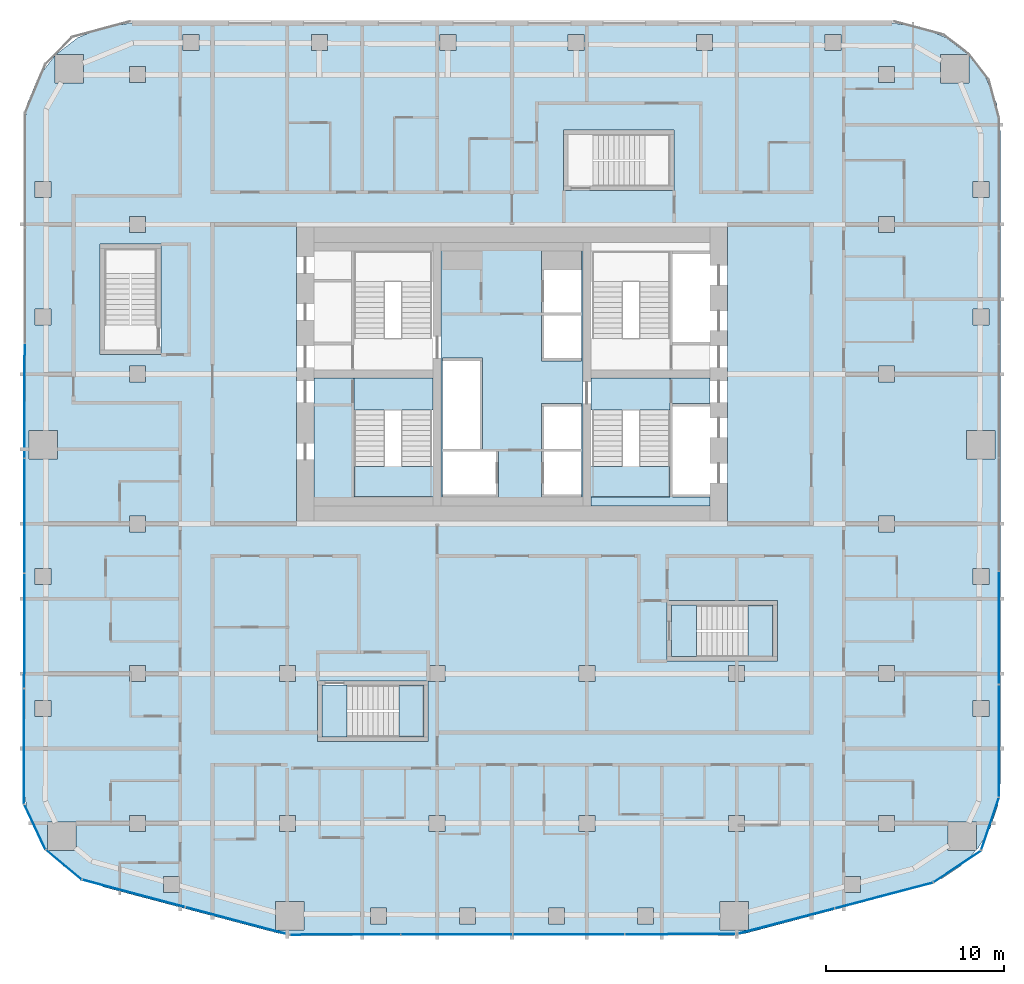
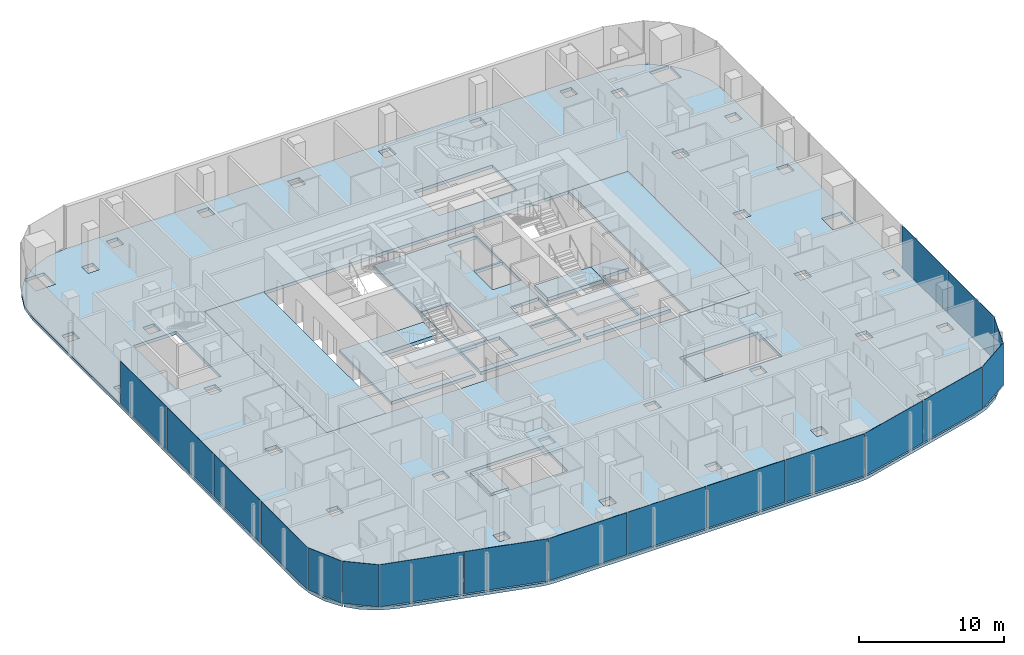
# One storey, part 12 of 23: 18 plates, 14 slabs, 13 elements without a shape of their own.
"""IFC4 building model written with IfcOpenShell, lengths in metres."""

from ifc_helpers import new_model, si_unit, direction, frame, origin, origin_2d, place, context, subcontext, project, spatial, polyline, rectangle, outline, extrude, material, layer, layer_set, type_object, element, aggregate, save


model = new_model("IFC4")

# Units and contexts
model_context = context("Model", 3, precision=1e-05, world=origin(), true_north=direction((0.0, 1.0)))
body_context = subcontext(model_context, "Body", "Model", "MODEL_VIEW")
ifc_project = project(units=[si_unit("LENGTHUNIT", "METRE"), si_unit("AREAUNIT", "SQUARE_METRE"), si_unit("VOLUMEUNIT", "CUBIC_METRE"), si_unit("PLANEANGLEUNIT", "RADIAN"), si_unit("MASSUNIT", "GRAM", prefix="KILO")], contexts=[model_context])

# Site, building, storey
site_placement = place(None, origin())
site = spatial("IfcSite", under=ifc_project, at=site_placement, CompositionType="ELEMENT")
building_placement = place(site_placement, origin())
building = spatial("IfcBuilding", under=site, at=building_placement, Name="Marenta Gate Hotel Tower", CompositionType="ELEMENT")
storey_placement = place(building_placement, frame((0.0, 0.0, 104.89990234375)))
storey = spatial("IfcBuildingStorey", under=building, at=storey_placement, Name="L22", CompositionType="ELEMENT", Elevation=104.89990234375)

# Slabs
ifc_material_1 = material(Name="Concrete C35", Category="concrete")
ifc_layer_1 = layer(ifc_material_1, 0.260009765625)
ifc_layer_set_1 = layer_set([ifc_layer_1], Name="Concrete C35")
slab_type_1 = type_object("IfcSlabType", Name="Concrete floor slab 260", PredefinedType="FLOOR", material=ifc_layer_set_1)
slab_1_placement = place(storey_placement, frame((0.0, 0.0, -0.260009765625)))
element("IfcSlab", 1, at=slab_1_placement, inside=storey, type_object=slab_type_1, Name="L22-SL-1", PredefinedType="FLOOR", context=body_context, shape_type="SweptSolid", body=[
    extrude(outline(polyline([(-25.213623046875, -19.1640625), (-26.011474609375, -18.3330078125), (-24.462890625, -18.3330078125), (-24.462890625, -16.73291015625), (-26.06298828125, -16.73291015625), (-26.06298828125, -18.279296875), (-26.13525390625, -18.2041015625), (-26.826904296875, -17.06689453125), (-27.25537109375, -15.80712890625), (-27.39990234375, -14.48974609375), (-27.39990234375, 22.006591796875), (-27.193115234375, 23.5791015625), (-26.58349609375, 25.050537109375), (-25.635498046875, 26.285888671875), (-25.635498046875, 24.735595703125), (-24.035400390625, 24.735595703125), (-24.035400390625, 26.33544921875), (-25.585693359375, 26.33544921875), (-24.350341796875, 27.283447265625), (-22.87890625, 27.89306640625), (-21.306640625, 28.10009765625), (21.306640625, 28.10009765625), (22.87890625, 27.89306640625), (24.350341796875, 27.283447265625), (25.585693359375, 26.33544921875), (24.035400390625, 26.33544921875), (24.035400390625, 24.735595703125), (25.635498046875, 24.735595703125), (25.635498046875, 26.285888671875), (26.58349609375, 25.050537109375), (27.193115234375, 23.5791015625), (27.39990234375, 22.006591796875), (27.39990234375, -14.48974609375), (27.25537109375, -15.80712890625), (26.826904296875, -17.06689453125), (26.13525390625, -18.2041015625), (26.06298828125, -18.279296875), (26.06298828125, -16.73291015625), (24.462890625, -16.73291015625), (24.462890625, -18.3330078125), (26.011474609375, -18.3330078125), (25.213623046875, -19.1640625), (24.105712890625, -19.9013671875), (22.86962890625, -20.37890625), (13.126708984375, -22.963623046875), (12.608642578125, -23.065673828125), (12.08154296875, -23.10009765625), (-12.08154296875, -23.10009765625), (-12.608642578125, -23.065673828125), (-13.126708984375, -22.963623046875), (-22.86962890625, -20.37890625), (-24.105712890625, -19.9013671875), (-25.213623046875, -19.1640625)]), holes=[polyline([(-16.800048828125, 0.0), (16.800048828125, 0.0), (16.800048828125, 16.800048828125), (-16.800048828125, 16.800048828125), (-16.800048828125, 0.0)]), polyline([(-18.65673828125, -19.7890625), (-19.556884765625, -19.7890625), (-19.556884765625, -20.689208984375), (-18.65673828125, -20.689208984375), (-18.65673828125, -19.7890625)]), polyline([(-20.550048828125, -17.25), (-20.550048828125, -16.35009765625), (-21.449951171875, -16.35009765625), (-21.449951171875, -17.25), (-20.550048828125, -17.25)]), polyline([(-12.14990234375, -16.35009765625), (-13.050048828125, -16.35009765625), (-13.050048828125, -17.25), (-12.14990234375, -17.25), (-12.14990234375, -16.35009765625)]), polyline([(-25.85009765625, -10.802001953125), (-25.85009765625, -9.90185546875), (-26.75, -9.90185546875), (-26.75, -10.802001953125), (-25.85009765625, -10.802001953125)]), polyline([(-20.550048828125, -8.85009765625), (-20.550048828125, -7.949951171875), (-21.449951171875, -7.949951171875), (-21.449951171875, -8.85009765625), (-20.550048828125, -8.85009765625)]), polyline([(-25.85009765625, -2.5009765625), (-26.75, -2.5009765625), (-26.75, -3.40087890625), (-25.85009765625, -3.40087890625), (-25.85009765625, -2.5009765625)]), polyline([(-20.550048828125, -0.449951171875), (-20.550048828125, 0.449951171875), (-21.449951171875, 0.449951171875), (-21.449951171875, -0.449951171875), (-20.550048828125, -0.449951171875)]), polyline([(-25.5, 3.64990234375), (-25.5, 5.25), (-27.10009765625, 5.25), (-27.10009765625, 3.64990234375), (-25.5, 3.64990234375)]), polyline([(-20.550048828125, 8.85009765625), (-21.449951171875, 8.85009765625), (-21.449951171875, 7.949951171875), (-20.550048828125, 7.949951171875), (-20.550048828125, 8.85009765625)]), polyline([(-25.85009765625, 11.1533203125), (-25.85009765625, 12.05322265625), (-26.75, 12.05322265625), (-26.75, 11.1533203125), (-25.85009765625, 11.1533203125)]), polyline([(-20.550048828125, 16.35009765625), (-20.550048828125, 17.25), (-21.449951171875, 17.25), (-21.449951171875, 16.35009765625), (-20.550048828125, 16.35009765625)]), polyline([(-25.85009765625, 19.206298828125), (-26.75, 19.206298828125), (-26.75, 18.306396484375), (-25.85009765625, 18.306396484375), (-25.85009765625, 19.206298828125)]), polyline([(-20.550048828125, 24.75), (-20.550048828125, 25.64990234375), (-21.449951171875, 25.64990234375), (-21.449951171875, 24.75), (-20.550048828125, 24.75)]), polyline([(-17.556884765625, 27.449951171875), (-18.456787109375, 27.449951171875), (-18.456787109375, 26.550048828125), (-17.556884765625, 26.550048828125), (-17.556884765625, 27.449951171875)]), polyline([(-7.030029296875, -22.449951171875), (-7.030029296875, -21.550048828125), (-7.93017578125, -21.550048828125), (-7.93017578125, -22.449951171875), (-7.030029296875, -22.449951171875)]), polyline([(-2.04345703125, -22.449951171875), (-2.04345703125, -21.550048828125), (-2.943359375, -21.550048828125), (-2.943359375, -22.449951171875), (-2.04345703125, -22.449951171875)]), polyline([(2.943359375, -21.550048828125), (2.04345703125, -21.550048828125), (2.04345703125, -22.449951171875), (2.943359375, -22.449951171875), (2.943359375, -21.550048828125)]), polyline([(7.93017578125, -22.449951171875), (7.93017578125, -21.550048828125), (7.030029296875, -21.550048828125), (7.030029296875, -22.449951171875), (7.93017578125, -22.449951171875)]), polyline([(-11.666259765625, -22.77490234375), (-11.666259765625, -21.1748046875), (-13.266357421875, -21.1748046875), (-13.266357421875, -22.77490234375), (-11.666259765625, -22.77490234375)]), polyline([(13.266357421875, -21.1748046875), (11.666259765625, -21.1748046875), (11.666259765625, -22.77490234375), (13.266357421875, -22.77490234375), (13.266357421875, -21.1748046875)]), polyline([(-3.75, -17.25), (-3.75, -16.35009765625), (-4.64990234375, -16.35009765625), (-4.64990234375, -17.25), (-3.75, -17.25)]), polyline([(4.64990234375, -17.25), (4.64990234375, -16.35009765625), (3.75, -16.35009765625), (3.75, -17.25), (4.64990234375, -17.25)]), polyline([(13.050048828125, -16.35009765625), (12.14990234375, -16.35009765625), (12.14990234375, -17.25), (13.050048828125, -17.25), (13.050048828125, -16.35009765625)]), polyline([(-12.14990234375, -8.85009765625), (-12.14990234375, -7.949951171875), (-13.050048828125, -7.949951171875), (-13.050048828125, -8.85009765625), (-12.14990234375, -8.85009765625)]), polyline([(-3.75, -8.85009765625), (-3.75, -7.949951171875), (-4.64990234375, -7.949951171875), (-4.64990234375, -8.85009765625), (-3.75, -8.85009765625)]), polyline([(4.64990234375, -7.949951171875), (3.75, -7.949951171875), (3.75, -8.85009765625), (4.64990234375, -8.85009765625), (4.64990234375, -7.949951171875)]), polyline([(-10.35400390625, 26.550048828125), (-10.35400390625, 27.449951171875), (-11.254150390625, 27.449951171875), (-11.254150390625, 26.550048828125), (-10.35400390625, 26.550048828125)]), polyline([(-3.1513671875, 26.550048828125), (-3.1513671875, 27.449951171875), (-4.051513671875, 27.449951171875), (-4.051513671875, 26.550048828125), (-3.1513671875, 26.550048828125)]), polyline([(4.051513671875, 27.449951171875), (3.1513671875, 27.449951171875), (3.1513671875, 26.550048828125), (4.051513671875, 26.550048828125), (4.051513671875, 27.449951171875)]), polyline([(11.254150390625, 26.550048828125), (11.254150390625, 27.449951171875), (10.35400390625, 27.449951171875), (10.35400390625, 26.550048828125), (11.254150390625, 26.550048828125)]), polyline([(19.556884765625, -20.689208984375), (19.556884765625, -19.7890625), (18.65673828125, -19.7890625), (18.65673828125, -20.689208984375), (19.556884765625, -20.689208984375)]), polyline([(21.449951171875, -17.25), (21.449951171875, -16.35009765625), (20.550048828125, -16.35009765625), (20.550048828125, -17.25), (21.449951171875, -17.25)]), polyline([(26.75, -10.802001953125), (26.75, -9.90185546875), (25.85009765625, -9.90185546875), (25.85009765625, -10.802001953125), (26.75, -10.802001953125)]), polyline([(13.050048828125, -7.949951171875), (12.14990234375, -7.949951171875), (12.14990234375, -8.85009765625), (13.050048828125, -8.85009765625), (13.050048828125, -7.949951171875)]), polyline([(21.449951171875, -8.85009765625), (21.449951171875, -7.949951171875), (20.550048828125, -7.949951171875), (20.550048828125, -8.85009765625), (21.449951171875, -8.85009765625)]), polyline([(26.75, -3.40087890625), (26.75, -2.5009765625), (25.85009765625, -2.5009765625), (25.85009765625, -3.40087890625), (26.75, -3.40087890625)]), polyline([(21.449951171875, 0.449951171875), (20.550048828125, 0.449951171875), (20.550048828125, -0.449951171875), (21.449951171875, -0.449951171875), (21.449951171875, 0.449951171875)]), polyline([(27.10009765625, 3.64990234375), (27.10009765625, 5.25), (25.5, 5.25), (25.5, 3.64990234375), (27.10009765625, 3.64990234375)]), polyline([(21.449951171875, 7.949951171875), (21.449951171875, 8.85009765625), (20.550048828125, 8.85009765625), (20.550048828125, 7.949951171875), (21.449951171875, 7.949951171875)]), polyline([(26.75, 12.05322265625), (25.85009765625, 12.05322265625), (25.85009765625, 11.1533203125), (26.75, 11.1533203125), (26.75, 12.05322265625)]), polyline([(21.449951171875, 16.35009765625), (21.449951171875, 17.25), (20.550048828125, 17.25), (20.550048828125, 16.35009765625), (21.449951171875, 16.35009765625)]), polyline([(26.75, 18.306396484375), (26.75, 19.206298828125), (25.85009765625, 19.206298828125), (25.85009765625, 18.306396484375), (26.75, 18.306396484375)]), polyline([(21.449951171875, 25.64990234375), (20.550048828125, 25.64990234375), (20.550048828125, 24.75), (21.449951171875, 24.75), (21.449951171875, 25.64990234375)]), polyline([(18.456787109375, 26.550048828125), (18.456787109375, 27.449951171875), (17.556884765625, 27.449951171875), (17.556884765625, 26.550048828125), (18.456787109375, 26.550048828125)]), polyline([(-10.89990234375, -12.199951171875), (-4.699951171875, -12.199951171875), (-4.699951171875, -8.800048828125), (-10.89990234375, -8.800048828125), (-10.89990234375, -12.199951171875)]), polyline([(8.699951171875, -7.699951171875), (14.89990234375, -7.699951171875), (14.89990234375, -4.300048828125), (8.699951171875, -4.300048828125), (8.699951171875, -7.699951171875)]), polyline([(-23.10009765625, 9.5), (-19.699951171875, 9.5), (-19.699951171875, 15.699951171875), (-23.10009765625, 15.699951171875), (-23.10009765625, 9.5)]), polyline([(2.89990234375, 18.699951171875), (9.10009765625, 18.699951171875), (9.10009765625, 22.10009765625), (2.89990234375, 22.10009765625), (2.89990234375, 18.699951171875)])]), origin(), (0.0, 0.0, 1.0), 0.260009765625),
])
ifc_material_2 = material(Name="Concrete C40", Category="concrete")
ifc_layer_2 = layer(ifc_material_2, 0.260009765625)
ifc_layer_set_2 = layer_set([ifc_layer_2], Name="Concrete C40")
slab_type_2 = type_object("IfcSlabType", Name="Core floor slab 260", PredefinedType="FLOOR", material=ifc_layer_set_2)
slab_2_placement = place(storey_placement, frame((0.0, 0.0, -0.260009765625)))
element("IfcSlab", 2, at=slab_2_placement, inside=storey, type_object=slab_type_2, Name="L22-CF-1", PredefinedType="FLOOR", context=body_context, shape_type="SweptSolid", body=[
    extrude(outline(polyline([(12.10009765625, 0.0), (12.10009765625, 16.800048828125), (16.800048828125, 16.800048828125), (16.800048828125, 0.0), (12.10009765625, 0.0)])), origin(), (0.0, 0.0, 1.0), 0.260009765625),
])
slab_3_placement = place(storey_placement, frame((0.0, 0.0, -0.260009765625)))
element("IfcSlab", 3, at=slab_3_placement, inside=storey, type_object=slab_type_2, Name="L22-CF-2", PredefinedType="FLOOR", context=body_context, shape_type="SweptSolid", body=[
    extrude(outline(polyline([(8.85009765625, 1.5), (8.85009765625, 6.39990234375), (8.85009765625, 8.10009765625), (8.85009765625, 8.175048828125), (11.10009765625, 8.175048828125), (11.10009765625, 6.75), (9.0, 6.75), (9.0, 6.60009765625), (9.0, 4.199951171875), (9.0, 4.050048828125), (9.0, 1.64990234375), (9.0, 1.5), (11.10009765625, 1.5), (11.10009765625, 1.0), (4.425048828125, 1.0), (4.425048828125, 1.5), (8.85009765625, 1.5)])), origin(), (0.0, 0.0, 1.0), 0.260009765625),
])
slab_4_placement = place(storey_placement, frame((0.0, 0.0, -0.260009765625)))
element("IfcSlab", 4, at=slab_4_placement, inside=storey, type_object=slab_type_2, Name="L22-CF-4", PredefinedType="FLOOR", context=body_context, shape_type="SweptSolid", body=[
    extrude(outline(polyline([(3.97509765625, 15.300048828125), (3.97509765625, 10.39990234375), (3.97509765625, 6.39990234375), (3.97509765625, 1.5), (3.97509765625, 1.0), (-3.97509765625, 1.0), (-3.97509765625, 1.5), (-3.97509765625, 6.39990234375), (-3.97509765625, 10.39990234375), (-3.97509765625, 15.300048828125), (-3.97509765625, 15.800048828125), (3.97509765625, 15.800048828125), (3.97509765625, 15.300048828125)]), holes=[polyline([(1.64990234375, 1.5), (3.89990234375, 1.5), (3.89990234375, 1.64990234375), (3.89990234375, 4.050048828125), (1.800048828125, 4.050048828125), (1.64990234375, 4.050048828125), (1.64990234375, 1.64990234375), (1.64990234375, 1.5)]), polyline([(1.64990234375, 6.60009765625), (1.64990234375, 4.199951171875), (1.800048828125, 4.199951171875), (3.89990234375, 4.199951171875), (3.89990234375, 6.60009765625), (3.89990234375, 6.75), (1.64990234375, 6.75), (1.64990234375, 6.60009765625)]), polyline([(1.64990234375, 9.14990234375), (3.89990234375, 9.14990234375), (3.89990234375, 9.300048828125), (3.89990234375, 11.699951171875), (1.800048828125, 11.699951171875), (1.64990234375, 11.699951171875), (1.64990234375, 9.300048828125), (1.64990234375, 9.14990234375)]), polyline([(1.64990234375, 15.300048828125), (1.64990234375, 14.25), (1.64990234375, 11.85009765625), (1.800048828125, 11.85009765625), (3.89990234375, 11.85009765625), (3.89990234375, 14.25), (3.89990234375, 15.300048828125), (1.64990234375, 15.300048828125)]), polyline([(-3.89990234375, 4.050048828125), (-3.89990234375, 1.64990234375), (-3.89990234375, 1.5), (-0.89990234375, 1.5), (-0.75, 1.5), (-0.75, 4.050048828125), (-0.89990234375, 4.050048828125), (-3.89990234375, 4.050048828125)]), polyline([(-1.800048828125, 4.199951171875), (-1.64990234375, 4.199951171875), (-1.64990234375, 9.14990234375), (-1.64990234375, 9.300048828125), (-3.89990234375, 9.300048828125), (-3.89990234375, 9.14990234375), (-3.89990234375, 6.75), (-3.89990234375, 6.60009765625), (-3.89990234375, 4.199951171875), (-1.800048828125, 4.199951171875)])]), origin(), (0.0, 0.0, 1.0), 0.260009765625),
])
slab_5_placement = place(storey_placement, frame((0.0, 0.0, -0.260009765625)))
element("IfcSlab", 5, at=slab_5_placement, inside=storey, type_object=slab_type_2, Name="L22-CF-5", PredefinedType="FLOOR", context=body_context, shape_type="SweptSolid", body=[
    extrude(outline(polyline([(-8.85009765625, 8.175048828125), (-8.85009765625, 8.10009765625), (-8.85009765625, 6.39990234375), (-8.85009765625, 1.5), (-4.425048828125, 1.5), (-4.425048828125, 1.0), (-11.10009765625, 1.0), (-11.10009765625, 8.175048828125), (-8.85009765625, 8.175048828125)])), origin(), (0.0, 0.0, 1.0), 0.260009765625),
])
slab_6_placement = place(storey_placement, frame((0.0, 0.0, -0.260009765625)))
element("IfcSlab", 6, at=slab_6_placement, inside=storey, type_object=slab_type_2, Name="L22-CF-7", PredefinedType="FLOOR", context=body_context, shape_type="SweptSolid", body=[
    extrude(outline(polyline([(-12.10009765625, 16.800048828125), (-12.10009765625, 0.0), (-16.800048828125, 0.0), (-16.800048828125, 16.800048828125), (-12.10009765625, 16.800048828125)])), origin(), (0.0, 0.0, 1.0), 0.260009765625),
])

# Stair, slab
ifc_material_3 = material(Name="Concrete C40", Category="concrete")
stair_type_1 = type_object("IfcStairType", Name="Core exit stair 1700 wide", PredefinedType="HALF_TURN_STAIR", material=ifc_material_3)
stair_1_placement = place(storey_placement, origin())
stair_1 = element("IfcStair", 7, at=stair_1_placement, inside=storey, type_object=stair_type_1, Name="Exit stair 1", PredefinedType="HALF_TURN_STAIR")
ifc_material_4 = material(Name="Concrete C40", Category="concrete")
ifc_layer_3 = layer(ifc_material_4, 0.199951171875)
ifc_layer_set_3 = layer_set([ifc_layer_3], Name="Concrete C40")
slab_type_3 = type_object("IfcSlabType", Name="Core stair landing 200", PredefinedType="LANDING", material=ifc_layer_set_3)
slab_7_placement = place(storey_placement, frame((0.0, 0.0, 1.60009765625)))
slab_7 = element("IfcSlab", 8, at=slab_7_placement, type_object=slab_type_3, Name="SL-200 ST1 landing 1", PredefinedType="LANDING", context=body_context, shape_type="SweptSolid", body=[
    extrude(outline(polyline([(-8.85009765625, 1.5), (-3.97509765625, 1.5), (-3.97509765625, 3.2099609375), (-8.85009765625, 3.2099609375), (-8.85009765625, 1.5)])), origin(), (0.0, 0.0, 1.0), 0.199951171875),
])
aggregate(stair_1, [slab_7])

stair_2_placement = place(storey_placement, origin())
stair_2 = element("IfcStair", 9, at=stair_2_placement, inside=storey, type_object=stair_type_1, Name="Exit stair 3", PredefinedType="HALF_TURN_STAIR")
slab_8_placement = place(storey_placement, frame((0.0, 0.0, 1.60009765625)))
slab_8 = element("IfcSlab", 10, at=slab_8_placement, type_object=slab_type_3, Name="SL-200 ST3 landing 1", PredefinedType="LANDING", context=body_context, shape_type="SweptSolid", body=[
    extrude(outline(polyline([(3.97509765625, 1.5), (8.85009765625, 1.5), (8.85009765625, 3.2099609375), (3.97509765625, 3.2099609375), (3.97509765625, 1.5)])), origin(), (0.0, 0.0, 1.0), 0.199951171875),
])
aggregate(stair_2, [slab_8])

# Curtain wall, plates
ifc_material_5 = material(Name="Tinted insulated glass in bronze anodised frame", Category="glass")
ifc_layer_4 = layer(ifc_material_5, 0.1201171875)
ifc_layer_set_4 = layer_set([ifc_layer_4], Name="Tinted insulated glass in bronze anodised frame")
curtain_wall_type = type_object("IfcCurtainWallType", Name="Tower unitised curtain wall CW1", PredefinedType="NOTDEFINED", material=ifc_layer_set_4)
curtain_wall_1_placement = place(storey_placement, origin())
curtain_wall_1 = element("IfcCurtainWall", 11, at=curtain_wall_1_placement, inside=storey, type_object=curtain_wall_type, Name="CW1 run G03", PredefinedType="NOTDEFINED")
ifc_material_6 = material(Name="Tinted insulated glass", Category="glass")
ifc_layer_5 = layer(ifc_material_6, 0.028076171875)
ifc_layer_set_5 = layer_set([ifc_layer_5], Name="Tinted insulated glass")
plate_type = type_object("IfcPlateType", Name="Glass panel CW1 28 mm tinted insulated unit", PredefinedType="CURTAIN_PANEL", material=ifc_layer_set_5)
plate_1_placement = place(storey_placement, frame((-27.337646484375, 6.916259765625, 0.06005859375), z_axis=(0.0, 0.0, 1.0), x_axis=(-0.001566045546, -0.99999877375, 0.0)))
plate_1 = element("IfcPlate", 12, at=plate_1_placement, type_object=plate_type, Name="CW1 panel 3.1", PredefinedType="CURTAIN_PANEL", context=body_context, shape_type="SweptSolid", body=[
    extrude(rectangle(XDim=6.39990234375, YDim=0.028076171875, at=origin_2d()), origin(), (0.0, 0.0, 1.0), 3.5400390625),
])
plate_2_placement = place(storey_placement, frame((-27.34765625, 0.456298828125, 0.06005859375), z_axis=(0.0, 0.0, 1.0), x_axis=(-0.001566045546, -0.99999877375, 0.0)))
plate_2 = element("IfcPlate", 13, at=plate_2_placement, type_object=plate_type, Name="CW1 panel 4.1", PredefinedType="CURTAIN_PANEL", context=body_context, shape_type="SweptSolid", body=[
    extrude(rectangle(XDim=6.39990234375, YDim=0.028076171875, at=origin_2d()), origin(), (0.0, 0.0, 1.0), 3.5400390625),
])
plate_3_placement = place(storey_placement, frame((-27.35791015625, -6.00390625, 0.06005859375), z_axis=(0.0, 0.0, 1.0), x_axis=(-0.001566045546, -0.99999877375, 0.0)))
plate_3 = element("IfcPlate", 14, at=plate_3_placement, type_object=plate_type, Name="CW1 panel 5.1", PredefinedType="CURTAIN_PANEL", context=body_context, shape_type="SweptSolid", body=[
    extrude(rectangle(XDim=6.39990234375, YDim=0.028076171875, at=origin_2d()), origin(), (0.0, 0.0, 1.0), 3.5400390625),
])
plate_4_placement = place(storey_placement, frame((-27.367919921875, -12.478759765625, 0.06005859375), z_axis=(0.0, 0.0, 1.0), x_axis=(-0.001566045546, -0.99999877375, 0.0)))
plate_4 = element("IfcPlate", 15, at=plate_4_placement, type_object=plate_type, Name="CW1 panel 6.1", PredefinedType="CURTAIN_PANEL", context=body_context, shape_type="SweptSolid", body=[
    extrude(rectangle(XDim=6.429931640625, YDim=0.028076171875, at=origin_2d()), origin(), (0.0, 0.0, 1.0), 3.5400390625),
])
aggregate(curtain_wall_1, [plate_1, plate_2, plate_3, plate_4])

# Curtain wall, plate
curtain_wall_2_placement = place(storey_placement, origin())
curtain_wall_2 = element("IfcCurtainWall", 16, at=curtain_wall_2_placement, inside=storey, type_object=curtain_wall_type, Name="CW1 run G04", PredefinedType="NOTDEFINED")
plate_5_placement = place(storey_placement, frame((-26.76123046875, -17.0029296875, 0.06005859375), z_axis=(0.0, 0.0, 1.0), x_axis=(0.423338088163, -0.905971778319, 0.0)))
plate_5 = element("IfcPlate", 17, at=plate_5_placement, type_object=plate_type, Name="CW1 panel 1.1", PredefinedType="CURTAIN_PANEL", context=body_context, shape_type="SweptSolid", body=[
    extrude(rectangle(XDim=2.77001953125, YDim=0.028076171875, at=origin_2d()), origin(), (0.0, 0.0, 1.0), 3.5400390625),
])
aggregate(curtain_wall_2, [plate_5])

curtain_wall_3_placement = place(storey_placement, origin())
curtain_wall_3 = element("IfcCurtainWall", 18, at=curtain_wall_3_placement, inside=storey, type_object=curtain_wall_type, Name="CW1 run G05", PredefinedType="NOTDEFINED")
plate_6_placement = place(storey_placement, frame((-25.14111328125, -19.1220703125, 0.06005859375), z_axis=(0.0, 0.0, 1.0), x_axis=(0.767112858807, -0.641512168126, 0.0)))
plate_6 = element("IfcPlate", 19, at=plate_6_placement, type_object=plate_type, Name="CW1 panel 1.1", PredefinedType="CURTAIN_PANEL", context=body_context, shape_type="SweptSolid", body=[
    extrude(rectangle(XDim=2.5751953125, YDim=0.028076171875, at=origin_2d()), origin(), (0.0, 0.0, 1.0), 3.5400390625),
])
aggregate(curtain_wall_3, [plate_6])

# Curtain wall, plates
curtain_wall_4_placement = place(storey_placement, origin())
curtain_wall_4 = element("IfcCurtainWall", 20, at=curtain_wall_4_placement, inside=storey, type_object=curtain_wall_type, Name="CW1 run G06", PredefinedType="NOTDEFINED")
plate_7_placement = place(storey_placement, frame((-21.22705078125, -20.726806640625, 0.06005859375), z_axis=(0.0, 0.0, 1.0), x_axis=(0.966373195468, -0.257143631229, 0.0)))
plate_7 = element("IfcPlate", 21, at=plate_7_placement, type_object=plate_type, Name="CW1 panel 1.1", PredefinedType="CURTAIN_PANEL", context=body_context, shape_type="SweptSolid", body=[
    extrude(rectangle(XDim=5.936279296875, YDim=0.028076171875, at=origin_2d()), origin(), (0.0, 0.0, 1.0), 3.5400390625),
])
plate_8_placement = place(storey_placement, frame((-15.4033203125, -22.276611328125, 0.06005859375), z_axis=(0.0, 0.0, 1.0), x_axis=(0.966373195468, -0.257143631229, 0.0)))
plate_8 = element("IfcPlate", 22, at=plate_8_placement, type_object=plate_type, Name="CW1 panel 2.1", PredefinedType="CURTAIN_PANEL", context=body_context, shape_type="SweptSolid", body=[
    extrude(rectangle(XDim=5.996337890625, YDim=0.028076171875, at=origin_2d()), origin(), (0.0, 0.0, 1.0), 3.5400390625),
])
aggregate(curtain_wall_4, [plate_7, plate_8])

curtain_wall_5_placement = place(storey_placement, origin())
curtain_wall_5 = element("IfcCurtainWall", 23, at=curtain_wall_5_placement, inside=storey, type_object=curtain_wall_type, Name="CW1 run G07", PredefinedType="NOTDEFINED")
plate_9_placement = place(storey_placement, frame((-9.35302734375, -23.043212890625, 0.06005859375), z_axis=(0.0, 0.0, 1.0), x_axis=(0.999999072004, 0.001362347707, 0.0)))
plate_9 = element("IfcPlate", 24, at=plate_9_placement, type_object=plate_type, Name="CW1 panel 1.1", PredefinedType="CURTAIN_PANEL", context=body_context, shape_type="SweptSolid", body=[
    extrude(rectangle(XDim=6.18603515625, YDim=0.028076171875, at=origin_2d()), origin(), (0.0, 0.0, 1.0), 3.5400390625),
])
plate_10_placement = place(storey_placement, frame((-3.092041015625, -23.03466796875, 0.06005859375), z_axis=(0.0, 0.0, 1.0), x_axis=(0.999999072004, 0.001362347707, 0.0)))
plate_10 = element("IfcPlate", 25, at=plate_10_placement, type_object=plate_type, Name="CW1 panel 2.1", PredefinedType="CURTAIN_PANEL", context=body_context, shape_type="SweptSolid", body=[
    extrude(rectangle(XDim=6.2158203125, YDim=0.028076171875, at=origin_2d()), origin(), (0.0, 0.0, 1.0), 3.5400390625),
])
plate_11_placement = place(storey_placement, frame((3.183837890625, -23.026123046875, 0.06005859375), z_axis=(0.0, 0.0, 1.0), x_axis=(0.999999072004, 0.001362347707, 0.0)))
plate_11 = element("IfcPlate", 26, at=plate_11_placement, type_object=plate_type, Name="CW1 panel 3.1", PredefinedType="CURTAIN_PANEL", context=body_context, shape_type="SweptSolid", body=[
    extrude(rectangle(XDim=6.2158203125, YDim=0.028076171875, at=origin_2d()), origin(), (0.0, 0.0, 1.0), 3.5400390625),
])
plate_12_placement = place(storey_placement, frame((9.474853515625, -23.017578125, 0.06005859375), z_axis=(0.0, 0.0, 1.0), x_axis=(0.999999072004, 0.001362347707, 0.0)))
plate_12 = element("IfcPlate", 27, at=plate_12_placement, type_object=plate_type, Name="CW1 panel 4.1", PredefinedType="CURTAIN_PANEL", context=body_context, shape_type="SweptSolid", body=[
    extrude(rectangle(XDim=6.245849609375, YDim=0.028076171875, at=origin_2d()), origin(), (0.0, 0.0, 1.0), 3.5400390625),
])
aggregate(curtain_wall_5, [plate_9, plate_10, plate_11, plate_12])

curtain_wall_6_placement = place(storey_placement, origin())
curtain_wall_6 = element("IfcCurtainWall", 28, at=curtain_wall_6_placement, inside=storey, type_object=curtain_wall_type, Name="CW1 run G08", PredefinedType="NOTDEFINED")
plate_13_placement = place(storey_placement, frame((15.36474609375, -22.28857421875, 0.06005859375), z_axis=(0.0, 0.0, 1.0), x_axis=(0.967368326473, 0.253374270473, 0.0)))
plate_13 = element("IfcPlate", 29, at=plate_13_placement, type_object=plate_type, Name="CW1 panel 1.1", PredefinedType="CURTAIN_PANEL", context=body_context, shape_type="SweptSolid", body=[
    extrude(rectangle(XDim=5.6005859375, YDim=0.028076171875, at=origin_2d()), origin(), (0.0, 0.0, 1.0), 3.5400390625),
])
plate_14_placement = place(storey_placement, frame((20.86962890625, -20.8466796875, 0.06005859375), z_axis=(0.0, 0.0, 1.0), x_axis=(0.967368326473, 0.253374270473, 0.0)))
plate_14 = element("IfcPlate", 30, at=plate_14_placement, type_object=plate_type, Name="CW1 panel 2.1", PredefinedType="CURTAIN_PANEL", context=body_context, shape_type="SweptSolid", body=[
    extrude(rectangle(XDim=5.66064453125, YDim=0.028076171875, at=origin_2d()), origin(), (0.0, 0.0, 1.0), 3.5400390625),
])
aggregate(curtain_wall_6, [plate_13, plate_14])

# Curtain wall, plate
curtain_wall_7_placement = place(storey_placement, origin())
curtain_wall_7 = element("IfcCurtainWall", 31, at=curtain_wall_7_placement, inside=storey, type_object=curtain_wall_type, Name="CW1 run G09", PredefinedType="NOTDEFINED")
plate_15_placement = place(storey_placement, frame((24.981201171875, -19.215576171875, 0.06005859375), z_axis=(0.0, 0.0, 1.0), x_axis=(0.832505857051, 0.554016243423, 0.0)))
plate_15 = element("IfcPlate", 32, at=plate_15_placement, type_object=plate_type, Name="CW1 panel 1.1", PredefinedType="CURTAIN_PANEL", context=body_context, shape_type="SweptSolid", body=[
    extrude(rectangle(XDim=3.179931640625, YDim=0.028076171875, at=origin_2d()), origin(), (0.0, 0.0, 1.0), 3.5400390625),
])
aggregate(curtain_wall_7, [plate_15])

curtain_wall_8_placement = place(storey_placement, origin())
curtain_wall_8 = element("IfcCurtainWall", 33, at=curtain_wall_8_placement, inside=storey, type_object=curtain_wall_type, Name="CW1 run G10", PredefinedType="NOTDEFINED")
plate_16_placement = place(storey_placement, frame((26.819091796875, -16.822998046875, 0.06005859375), z_axis=(0.0, 0.0, 1.0), x_axis=(0.322033173773, 0.946728385013, 0.0)))
plate_16 = element("IfcPlate", 34, at=plate_16_placement, type_object=plate_type, Name="CW1 panel 1.1", PredefinedType="CURTAIN_PANEL", context=body_context, shape_type="SweptSolid", body=[
    extrude(rectangle(XDim=3.073486328125, YDim=0.028076171875, at=origin_2d()), origin(), (0.0, 0.0, 1.0), 3.5400390625),
])
aggregate(curtain_wall_8, [plate_16])

# Curtain wall, plates
curtain_wall_9_placement = place(storey_placement, origin())
curtain_wall_9 = element("IfcCurtainWall", 35, at=curtain_wall_9_placement, inside=storey, type_object=curtain_wall_type, Name="CW1 run G11", PredefinedType="NOTDEFINED")
plate_17_placement = place(storey_placement, frame((27.31396484375, -12.173095703125, 0.06005859375), z_axis=(0.0, 0.0, 1.0), x_axis=(0.0, 1.0, 0.0)))
plate_17 = element("IfcPlate", 36, at=plate_17_placement, type_object=plate_type, Name="CW1 panel 1.1", PredefinedType="CURTAIN_PANEL", context=body_context, shape_type="SweptSolid", body=[
    extrude(rectangle(XDim=6.27001953125, YDim=0.028076171875, at=origin_2d()), origin(), (0.0, 0.0, 1.0), 3.5400390625),
])
plate_18_placement = place(storey_placement, frame((27.31396484375, -5.828125, 0.06005859375), z_axis=(0.0, 0.0, 1.0), x_axis=(0.0, 1.0, 0.0)))
plate_18 = element("IfcPlate", 37, at=plate_18_placement, type_object=plate_type, Name="CW1 panel 2.1", PredefinedType="CURTAIN_PANEL", context=body_context, shape_type="SweptSolid", body=[
    extrude(rectangle(XDim=6.300048828125, YDim=0.028076171875, at=origin_2d()), origin(), (0.0, 0.0, 1.0), 3.5400390625),
])
aggregate(curtain_wall_9, [plate_17, plate_18])

# Stair, slab
ifc_material_7 = material(Name="Concrete C40", Category="concrete")
stair_type_2 = type_object("IfcStairType", Name="Remote exit stair 1400 wide", PredefinedType="HALF_TURN_STAIR", material=ifc_material_7)
stair_3_placement = place(storey_placement, origin())
stair_3 = element("IfcStair", 38, at=stair_3_placement, inside=storey, type_object=stair_type_2, Name="Exit stair RS-Z2-1", PredefinedType="HALF_TURN_STAIR")
ifc_material_8 = material(Name="Concrete C40", Category="concrete")
ifc_layer_6 = layer(ifc_material_8, 0.199951171875)
ifc_layer_set_6 = layer_set([ifc_layer_6], Name="Concrete C40")
slab_type_4 = type_object("IfcSlabType", Name="Remote stair landing 200", PredefinedType="LANDING", material=ifc_layer_set_6)
slab_9_placement = place(storey_placement, frame((0.0, 0.0, 1.60009765625)))
slab_9 = element("IfcSlab", 39, at=slab_9_placement, type_object=slab_type_4, Name="RL-200 RS-Z2-1 landing 1", PredefinedType="LANDING", context=body_context, shape_type="SweptSolid", body=[
    extrude(outline(polyline([(-6.35009765625, -11.949951171875), (-4.949951171875, -11.949951171875), (-4.949951171875, -9.050048828125), (-6.35009765625, -9.050048828125), (-6.35009765625, -11.949951171875)])), origin(), (0.0, 0.0, 1.0), 0.199951171875),
])
aggregate(stair_3, [slab_9])

stair_4_placement = place(storey_placement, origin())
stair_4 = element("IfcStair", 40, at=stair_4_placement, inside=storey, type_object=stair_type_2, Name="Exit stair RS-Z2-2", PredefinedType="HALF_TURN_STAIR")
slab_10_placement = place(storey_placement, frame((0.0, 0.0, 1.60009765625)))
slab_10 = element("IfcSlab", 41, at=slab_10_placement, type_object=slab_type_4, Name="RL-200 RS-Z2-2 landing 1", PredefinedType="LANDING", context=body_context, shape_type="SweptSolid", body=[
    extrude(outline(polyline([(13.25, -7.449951171875), (14.64990234375, -7.449951171875), (14.64990234375, -4.550048828125), (13.25, -4.550048828125), (13.25, -7.449951171875)])), origin(), (0.0, 0.0, 1.0), 0.199951171875),
])
aggregate(stair_4, [slab_10])

# Slabs
ifc_material_9 = material(Name="Concrete C40", Category="concrete")
ifc_layer_7 = layer(ifc_material_9, 0.300048828125)
ifc_layer_set_7 = layer_set([ifc_layer_7], Name="Concrete C40")
slab_type_5 = type_object("IfcSlabType", Name="Stair floor landing slab 300", PredefinedType="FLOOR", material=ifc_layer_set_7)
slab_11_placement = place(storey_placement, frame((0.0, 0.0, -0.2998046875)))
element("IfcSlab", 42, at=slab_11_placement, inside=storey, type_object=slab_type_5, Name="L22-CL-ST1-1", PredefinedType="FLOOR", context=body_context, shape_type="SweptSolid", body=[
    extrude(outline(polyline([(-4.425048828125, 6.39990234375), (-8.85009765625, 6.39990234375), (-8.85009765625, 8.10009765625), (-8.85009765625, 8.175048828125), (-4.425048828125, 8.175048828125), (-4.425048828125, 6.39990234375)])), origin(), (0.0, 0.0, 1.0), 0.2998046875),
])
slab_12_placement = place(storey_placement, frame((0.0, 0.0, -0.2998046875)))
element("IfcSlab", 43, at=slab_12_placement, inside=storey, type_object=slab_type_5, Name="L22-CL-ST3-1", PredefinedType="FLOOR", context=body_context, shape_type="SweptSolid", body=[
    extrude(outline(polyline([(4.425048828125, 6.39990234375), (4.425048828125, 8.175048828125), (8.85009765625, 8.175048828125), (8.85009765625, 8.10009765625), (8.85009765625, 6.39990234375), (4.425048828125, 6.39990234375)])), origin(), (0.0, 0.0, 1.0), 0.2998046875),
])
slab_13_placement = place(storey_placement, frame((0.0, 0.0, -0.2998046875)))
element("IfcSlab", 44, at=slab_13_placement, inside=storey, type_object=slab_type_5, Name="L22-RS-Z2-1-CL", PredefinedType="FLOOR", context=body_context, shape_type="SweptSolid", body=[
    extrude(outline(polyline([(-9.25, -11.949951171875), (-9.25, -9.050048828125), (-10.64990234375, -9.050048828125), (-10.64990234375, -11.949951171875), (-9.25, -11.949951171875)])), origin(), (0.0, 0.0, 1.0), 0.2998046875),
])
slab_14_placement = place(storey_placement, frame((0.0, 0.0, -0.2998046875)))
element("IfcSlab", 45, at=slab_14_placement, inside=storey, type_object=slab_type_5, Name="L22-RS-Z2-2-CL", PredefinedType="FLOOR", context=body_context, shape_type="SweptSolid", body=[
    extrude(outline(polyline([(10.35009765625, -7.449951171875), (10.35009765625, -4.550048828125), (8.949951171875, -4.550048828125), (8.949951171875, -7.449951171875), (10.35009765625, -7.449951171875)])), origin(), (0.0, 0.0, 1.0), 0.2998046875),
])

save(model, "model.ifc")
